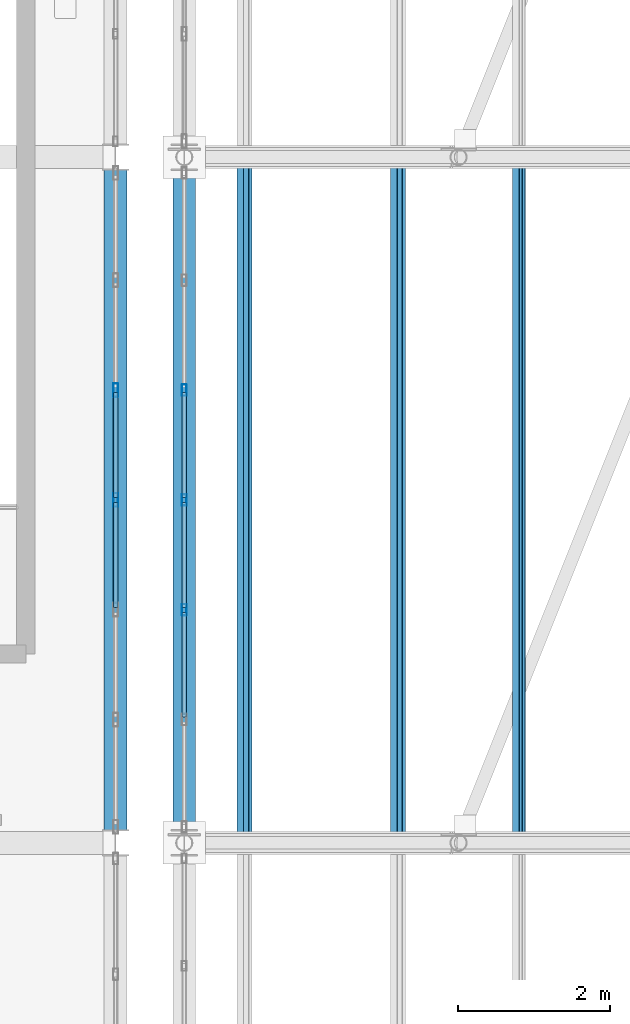
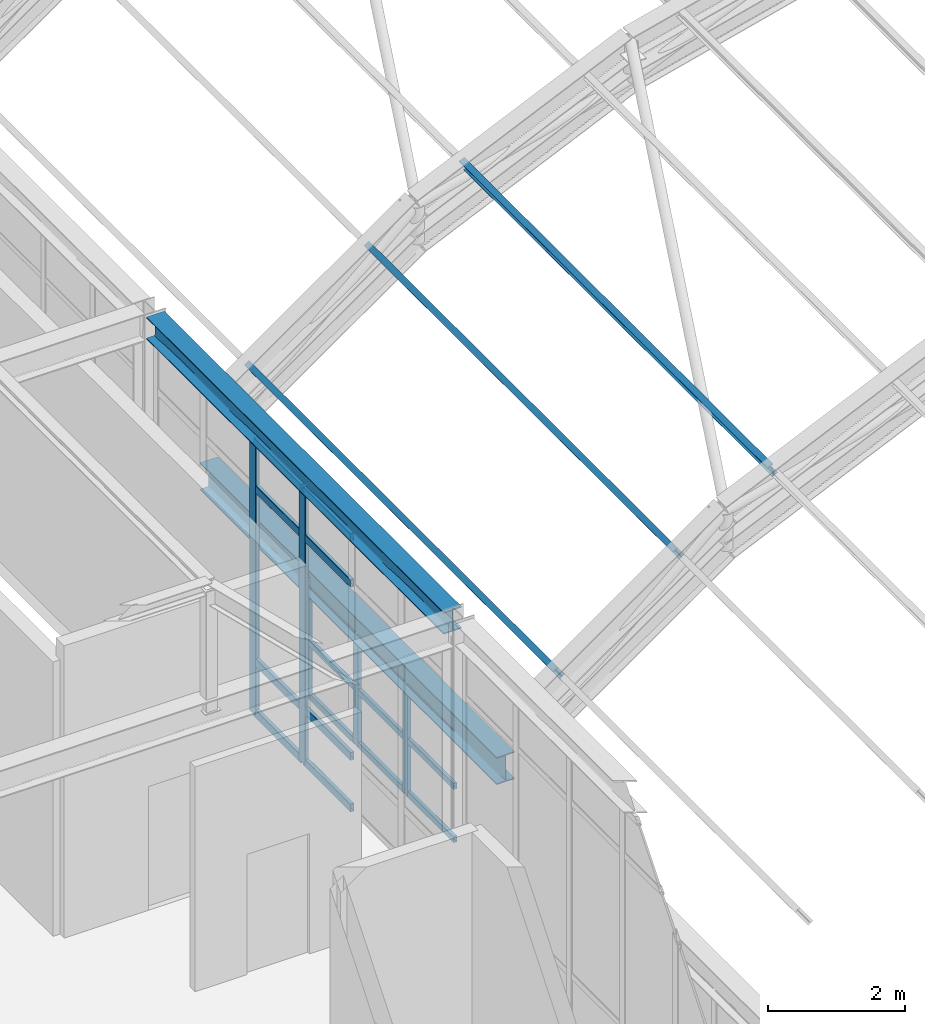
# One storey, part 53 of 121: 25 members, 2 beams, 2 elements without a shape of their own.
"""IFC4 building model written with IfcOpenShell, lengths in metres."""

from ifc_helpers import new_model, si_unit, direction, frame, origin, origin_2d, place, context, subcontext, project, spatial, hollow_rectangle, i_section, extrude, material, material_profile, profile_set, type_object, element, aggregate, save


model = new_model("IFC4")

# Units and contexts
model_context = context("Model", 3, precision=1e-05, world=origin(), true_north=direction((0.0, 1.0)))
body_context = subcontext(model_context, "Body", "Model", "MODEL_VIEW")
ifc_project = project(units=[si_unit("LENGTHUNIT", "METRE"), si_unit("AREAUNIT", "SQUARE_METRE"), si_unit("VOLUMEUNIT", "CUBIC_METRE"), si_unit("PLANEANGLEUNIT", "RADIAN"), si_unit("MASSUNIT", "GRAM", prefix="KILO")], contexts=[model_context])

# Site, building, storey
site_placement = place(None, origin())
site = spatial("IfcSite", under=ifc_project, at=site_placement, CompositionType="ELEMENT")
building_placement = place(site_placement, origin())
building = spatial("IfcBuilding", under=site, at=building_placement, Name="Canglan Escarpment Cableway Terminal", CompositionType="ELEMENT")
storey_placement = place(building_placement, frame((0.0, 0.0, 24.60009765625)))
storey = spatial("IfcBuildingStorey", under=building, at=storey_placement, Name="L05", CompositionType="ELEMENT", Elevation=24.60009765625)

# Beams
ifc_material_1 = material(Name="Steel Q355B", Category="steel")
ifc_material_profile_1 = material_profile(ifc_material_1, i_section(OverallWidth=0.300048828125, OverallDepth=0.389892578125, WebThickness=0.010009765625, FlangeThickness=0.01611328125, FilletRadius=0.02197265625, at=origin_2d()), Name="HM 390x300x10x16")
ifc_profile_set_1 = profile_set([ifc_material_profile_1], Name="Steel Q355B")
beam_type_1 = type_object("IfcBeamType", Name="BM-HM390", PredefinedType="BEAM", material=ifc_profile_set_1)
beam_1_placement = place(storey_placement, frame((136.699951171875, 97.1650390625, 5.139892578125), z_axis=(0.0, 1.0, 0.0), x_axis=(-1.0, 0.0, 0.0)))
element("IfcBeam", 1, at=beam_1_placement, inside=storey, type_object=beam_type_1, Name="Drive House roof transverse tie girder B-11", PredefinedType="BEAM", context=body_context, shape_type="SweptSolid", body=[
    extrude(i_section(OverallWidth=0.300048828125, OverallDepth=0.389892578125, WebThickness=0.010009765625, FlangeThickness=0.01611328125, FilletRadius=0.02197265625, at=origin_2d()), origin(), (0.0, 0.0, 1.0), 8.669921875),
])
ifc_material_profile_2 = material_profile(ifc_material_1, i_section(OverallWidth=0.300048828125, OverallDepth=0.488037109375, WebThickness=0.010986328125, FlangeThickness=0.01806640625, FilletRadius=0.02587890625, at=origin_2d()), Name="HM 488x300x11x18")
ifc_profile_set_2 = profile_set([ifc_material_profile_2], Name="Steel Q355B")
beam_type_2 = type_object("IfcBeamType", Name="BM-HM488", PredefinedType="BEAM", material=ifc_profile_set_2)
beam_2_placement = place(storey_placement, frame((137.60009765625, 97.175048828125, 2.1884765625), z_axis=(0.0, 1.0, 0.0), x_axis=(-1.0, 0.0, 0.0)))
element("IfcBeam", 2, at=beam_2_placement, inside=storey, type_object=beam_type_2, Name="Vault springing ring girder B-09", PredefinedType="BEAM", context=body_context, shape_type="SweptSolid", body=[
    extrude(i_section(OverallWidth=0.300048828125, OverallDepth=0.488037109375, WebThickness=0.010986328125, FlangeThickness=0.01806640625, FilletRadius=0.02587890625, at=origin_2d()), origin(), (0.0, 0.0, 1.0), 8.64990234375),
])

# Curtain wall, members
ifc_material_2 = material(Name="Anodized bronze aluminium and Low-E double glazing", Category="aluminium")
curtain_wall_type_1 = type_object("IfcCurtainWallType", Name="CW-BAY-8650x1950", PredefinedType="NOTDEFINED", material=ifc_material_2)
curtain_wall_1_placement = place(storey_placement, origin())
curtain_wall_1 = element("IfcCurtainWall", 3, at=curtain_wall_1_placement, inside=storey, type_object=curtain_wall_type_1, Name="Classical bay-between-piers glazed curtain wall CW-66", PredefinedType="NOTDEFINED")
ifc_material_3 = material(Name="Thermally broken anodized aluminium 6063-T6", Category="aluminium")
ifc_material_profile_3 = material_profile(ifc_material_3, hollow_rectangle(XDim=0.06494140625, YDim=0.14990234375, WallThickness=0.00341796875, InnerFilletRadius=0.00341796875, OuterFilletRadius=0.007080078125, at=origin_2d()), Name="ALU-MULL 65x150x3.5")
ifc_profile_set_3 = profile_set([ifc_material_profile_3], Name="Thermally broken anodized aluminium 6063-T6")
member_type_1 = type_object("IfcMemberType", Name="CWM-02", PredefinedType="MULLION", material=ifc_profile_set_3)
member_1_placement = place(storey_placement, frame((137.60009765625, 102.941650390625, 0.0), z_axis=(0.0, 0.0, 1.0), x_axis=(1.0, 0.0, 0.0)))
member_1 = element("IfcMember", 4, at=member_1_placement, type_object=member_type_1, Name="CW-66 mullion 3", PredefinedType="MULLION", context=body_context, shape_type="SweptSolid", body=[
    extrude(hollow_rectangle(XDim=0.06494140625, YDim=0.14990234375, WallThickness=0.00341796875, InnerFilletRadius=0.00341796875, OuterFilletRadius=0.007080078125, at=origin_2d()), origin(), (0.0, 0.0, 1.0), 1.949951171875),
])
member_2_placement = place(storey_placement, frame((137.60009765625, 101.5, 0.0), z_axis=(0.0, 0.0, 1.0), x_axis=(1.0, 0.0, 0.0)))
member_2 = element("IfcMember", 5, at=member_2_placement, type_object=member_type_1, Name="CW-66 mullion 4", PredefinedType="MULLION", context=body_context, shape_type="SweptSolid", body=[
    extrude(hollow_rectangle(XDim=0.06494140625, YDim=0.14990234375, WallThickness=0.00341796875, InnerFilletRadius=0.00341796875, OuterFilletRadius=0.007080078125, at=origin_2d()), origin(), (0.0, 0.0, 1.0), 1.949951171875),
])
member_3_placement = place(storey_placement, frame((137.60009765625, 100.058349609375, 0.0), z_axis=(0.0, 0.0, 1.0), x_axis=(1.0, 0.0, 0.0)))
member_3 = element("IfcMember", 6, at=member_3_placement, type_object=member_type_1, Name="CW-66 mullion 5", PredefinedType="MULLION", context=body_context, shape_type="SweptSolid", body=[
    extrude(hollow_rectangle(XDim=0.06494140625, YDim=0.14990234375, WallThickness=0.00341796875, InnerFilletRadius=0.00341796875, OuterFilletRadius=0.007080078125, at=origin_2d()), origin(), (0.0, 0.0, 1.0), 1.949951171875),
])

curtain_wall_type_2 = type_object("IfcCurtainWallType", Name="CW-BAY-8650x4875", PredefinedType="NOTDEFINED", material=ifc_material_2)
curtain_wall_2_placement = place(storey_placement, origin())
curtain_wall_2 = element("IfcCurtainWall", 7, at=curtain_wall_2_placement, inside=storey, type_object=curtain_wall_type_2, Name="Classical bay-between-piers glazed curtain wall CW-58", PredefinedType="NOTDEFINED")
ifc_material_profile_4 = material_profile(ifc_material_3, hollow_rectangle(XDim=0.06494140625, YDim=0.179931640625, WallThickness=0.00390625, InnerFilletRadius=0.00390625, OuterFilletRadius=0.008056640625, at=origin_2d()), Name="ALU-MULL 65x180x4")
ifc_profile_set_4 = profile_set([ifc_material_profile_4], Name="Thermally broken anodized aluminium 6063-T6")
member_type_2 = type_object("IfcMemberType", Name="CWM-03", PredefinedType="MULLION", material=ifc_profile_set_4)
member_4_placement = place(storey_placement, frame((136.699951171875, 101.5, 0.0), z_axis=(0.0, 0.0, 1.0), x_axis=(-1.0, 0.0, 0.0)))
member_4 = element("IfcMember", 8, at=member_4_placement, type_object=member_type_2, Name="CW-58 mullion 4", PredefinedType="MULLION", context=body_context, shape_type="SweptSolid", body=[
    extrude(hollow_rectangle(XDim=0.06494140625, YDim=0.179931640625, WallThickness=0.00390625, InnerFilletRadius=0.00390625, OuterFilletRadius=0.008056640625, at=origin_2d()), origin(), (0.0, 0.0, 1.0), 4.880859375),
])
member_5_placement = place(storey_placement, frame((136.699951171875, 102.941650390625, 0.0), z_axis=(0.0, 0.0, 1.0), x_axis=(-1.0, 0.0, 0.0)))
member_5 = element("IfcMember", 9, at=member_5_placement, type_object=member_type_2, Name="CW-58 mullion 5", PredefinedType="MULLION", context=body_context, shape_type="SweptSolid", body=[
    extrude(hollow_rectangle(XDim=0.06494140625, YDim=0.179931640625, WallThickness=0.00390625, InnerFilletRadius=0.00390625, OuterFilletRadius=0.008056640625, at=origin_2d()), origin(), (0.0, 0.0, 1.0), 4.880859375),
])

# Member
ifc_material_profile_5 = material_profile(ifc_material_3, hollow_rectangle(XDim=0.06005859375, YDim=0.110107421875, WallThickness=0.0029296875, InnerFilletRadius=0.0029296875, OuterFilletRadius=0.006103515625, at=origin_2d()), Name="ALU-TRAN 60x110x3")
ifc_profile_set_5 = profile_set([ifc_material_profile_5], Name="Thermally broken anodized aluminium 6063-T6")
member_type_3 = type_object("IfcMemberType", Name="CWT-02", PredefinedType="USERDEFINED", material=ifc_profile_set_5)
member_6_placement = place(storey_placement, frame((137.60009765625, 102.9091796875, 0.02978515625), z_axis=(0.0, -1.0, 0.0), x_axis=(1.0, 0.0, 0.0)))
member_6 = element("IfcMember", 10, at=member_6_placement, type_object=member_type_3, Name="CW-66 transom 3.1", ObjectType="TRANSOM", PredefinedType="USERDEFINED", context=body_context, shape_type="SweptSolid", body=[
    extrude(hollow_rectangle(XDim=0.06005859375, YDim=0.110107421875, WallThickness=0.0029296875, InnerFilletRadius=0.0029296875, OuterFilletRadius=0.006103515625, at=origin_2d()), origin(), (0.0, 0.0, 1.0), 1.376708984375),
])

member_7_placement = place(storey_placement, frame((137.60009765625, 102.9091796875, 0.974853515625), z_axis=(0.0, -1.0, 0.0), x_axis=(1.0, 0.0, 0.0)))
member_7 = element("IfcMember", 11, at=member_7_placement, type_object=member_type_3, Name="CW-66 transom 3.2", ObjectType="TRANSOM", PredefinedType="USERDEFINED", context=body_context, shape_type="SweptSolid", body=[
    extrude(hollow_rectangle(XDim=0.06005859375, YDim=0.110107421875, WallThickness=0.0029296875, InnerFilletRadius=0.0029296875, OuterFilletRadius=0.006103515625, at=origin_2d()), origin(), (0.0, 0.0, 1.0), 1.376708984375),
])

member_8_placement = place(storey_placement, frame((137.60009765625, 102.9091796875, 1.919921875), z_axis=(0.0, -1.0, 0.0), x_axis=(1.0, 0.0, 0.0)))
member_8 = element("IfcMember", 12, at=member_8_placement, type_object=member_type_3, Name="CW-66 transom 3.3", ObjectType="TRANSOM", PredefinedType="USERDEFINED", context=body_context, shape_type="SweptSolid", body=[
    extrude(hollow_rectangle(XDim=0.06005859375, YDim=0.110107421875, WallThickness=0.0029296875, InnerFilletRadius=0.0029296875, OuterFilletRadius=0.006103515625, at=origin_2d()), origin(), (0.0, 0.0, 1.0), 1.376708984375),
])

member_9_placement = place(storey_placement, frame((137.60009765625, 101.467529296875, 0.02978515625), z_axis=(0.0, -1.0, 0.0), x_axis=(1.0, 0.0, 0.0)))
member_9 = element("IfcMember", 13, at=member_9_placement, type_object=member_type_3, Name="CW-66 transom 4.1", ObjectType="TRANSOM", PredefinedType="USERDEFINED", context=body_context, shape_type="SweptSolid", body=[
    extrude(hollow_rectangle(XDim=0.06005859375, YDim=0.110107421875, WallThickness=0.0029296875, InnerFilletRadius=0.0029296875, OuterFilletRadius=0.006103515625, at=origin_2d()), origin(), (0.0, 0.0, 1.0), 1.376708984375),
])

member_10_placement = place(storey_placement, frame((137.60009765625, 101.467529296875, 0.974853515625), z_axis=(0.0, -1.0, 0.0), x_axis=(1.0, 0.0, 0.0)))
member_10 = element("IfcMember", 14, at=member_10_placement, type_object=member_type_3, Name="CW-66 transom 4.2", ObjectType="TRANSOM", PredefinedType="USERDEFINED", context=body_context, shape_type="SweptSolid", body=[
    extrude(hollow_rectangle(XDim=0.06005859375, YDim=0.110107421875, WallThickness=0.0029296875, InnerFilletRadius=0.0029296875, OuterFilletRadius=0.006103515625, at=origin_2d()), origin(), (0.0, 0.0, 1.0), 1.376708984375),
])

member_11_placement = place(storey_placement, frame((137.60009765625, 101.467529296875, 1.919921875), z_axis=(0.0, -1.0, 0.0), x_axis=(1.0, 0.0, 0.0)))
member_11 = element("IfcMember", 15, at=member_11_placement, type_object=member_type_3, Name="CW-66 transom 4.3", ObjectType="TRANSOM", PredefinedType="USERDEFINED", context=body_context, shape_type="SweptSolid", body=[
    extrude(hollow_rectangle(XDim=0.06005859375, YDim=0.110107421875, WallThickness=0.0029296875, InnerFilletRadius=0.0029296875, OuterFilletRadius=0.006103515625, at=origin_2d()), origin(), (0.0, 0.0, 1.0), 1.376708984375),
])

member_12_placement = place(storey_placement, frame((137.60009765625, 100.02587890625, 0.02978515625), z_axis=(0.0, -1.0, 0.0), x_axis=(1.0, 0.0, 0.0)))
member_12 = element("IfcMember", 16, at=member_12_placement, type_object=member_type_3, Name="CW-66 transom 5.1", ObjectType="TRANSOM", PredefinedType="USERDEFINED", context=body_context, shape_type="SweptSolid", body=[
    extrude(hollow_rectangle(XDim=0.06005859375, YDim=0.110107421875, WallThickness=0.0029296875, InnerFilletRadius=0.0029296875, OuterFilletRadius=0.006103515625, at=origin_2d()), origin(), (0.0, 0.0, 1.0), 1.376708984375),
])

member_13_placement = place(storey_placement, frame((137.60009765625, 100.02587890625, 0.974853515625), z_axis=(0.0, -1.0, 0.0), x_axis=(1.0, 0.0, 0.0)))
member_13 = element("IfcMember", 17, at=member_13_placement, type_object=member_type_3, Name="CW-66 transom 5.2", ObjectType="TRANSOM", PredefinedType="USERDEFINED", context=body_context, shape_type="SweptSolid", body=[
    extrude(hollow_rectangle(XDim=0.06005859375, YDim=0.110107421875, WallThickness=0.0029296875, InnerFilletRadius=0.0029296875, OuterFilletRadius=0.006103515625, at=origin_2d()), origin(), (0.0, 0.0, 1.0), 1.376708984375),
])

member_14_placement = place(storey_placement, frame((137.60009765625, 100.02587890625, 1.919921875), z_axis=(0.0, -1.0, 0.0), x_axis=(1.0, 0.0, 0.0)))
member_14 = element("IfcMember", 18, at=member_14_placement, type_object=member_type_3, Name="CW-66 transom 5.3", ObjectType="TRANSOM", PredefinedType="USERDEFINED", context=body_context, shape_type="SweptSolid", body=[
    extrude(hollow_rectangle(XDim=0.06005859375, YDim=0.110107421875, WallThickness=0.0029296875, InnerFilletRadius=0.0029296875, OuterFilletRadius=0.006103515625, at=origin_2d()), origin(), (0.0, 0.0, 1.0), 1.376708984375),
])

aggregate(curtain_wall_1, [member_1, member_2, member_3, member_6, member_7, member_8, member_9, member_10, member_11, member_12, member_13, member_14])

ifc_material_profile_6 = material_profile(ifc_material_3, hollow_rectangle(XDim=0.06494140625, YDim=0.139892578125, WallThickness=0.00341796875, InnerFilletRadius=0.00341796875, OuterFilletRadius=0.007080078125, at=origin_2d()), Name="ALU-TRAN 65x140x3.5")
ifc_profile_set_6 = profile_set([ifc_material_profile_6], Name="Thermally broken anodized aluminium 6063-T6")
member_type_4 = type_object("IfcMemberType", Name="CWT-03", PredefinedType="USERDEFINED", material=ifc_profile_set_6)
member_15_placement = place(storey_placement, frame((136.699951171875, 100.0908203125, 0.032470703125), z_axis=(0.0, 1.0, 0.0), x_axis=(-1.0, 0.0, 0.0)))
member_15 = element("IfcMember", 19, at=member_15_placement, type_object=member_type_4, Name="CW-58 transom 3.1", ObjectType="TRANSOM", PredefinedType="USERDEFINED", context=body_context, shape_type="SweptSolid", body=[
    extrude(hollow_rectangle(XDim=0.06494140625, YDim=0.139892578125, WallThickness=0.00341796875, InnerFilletRadius=0.00341796875, OuterFilletRadius=0.007080078125, at=origin_2d()), origin(), (0.0, 0.0, 1.0), 1.376708984375),
])

member_16_placement = place(storey_placement, frame((136.699951171875, 100.0908203125, 0.949951171875), z_axis=(0.0, 1.0, 0.0), x_axis=(-1.0, 0.0, 0.0)))
member_16 = element("IfcMember", 20, at=member_16_placement, type_object=member_type_4, Name="CW-58 transom 3.2", ObjectType="TRANSOM", PredefinedType="USERDEFINED", context=body_context, shape_type="SweptSolid", body=[
    extrude(hollow_rectangle(XDim=0.06494140625, YDim=0.139892578125, WallThickness=0.00341796875, InnerFilletRadius=0.00341796875, OuterFilletRadius=0.007080078125, at=origin_2d()), origin(), (0.0, 0.0, 1.0), 1.376708984375),
])

member_17_placement = place(storey_placement, frame((136.699951171875, 100.0908203125, 4.031005859375), z_axis=(0.0, 1.0, 0.0), x_axis=(-1.0, 0.0, 0.0)))
member_17 = element("IfcMember", 21, at=member_17_placement, type_object=member_type_4, Name="CW-58 transom 3.3", ObjectType="TRANSOM", PredefinedType="USERDEFINED", context=body_context, shape_type="SweptSolid", body=[
    extrude(hollow_rectangle(XDim=0.06494140625, YDim=0.139892578125, WallThickness=0.00341796875, InnerFilletRadius=0.00341796875, OuterFilletRadius=0.007080078125, at=origin_2d()), origin(), (0.0, 0.0, 1.0), 1.376708984375),
])

member_18_placement = place(storey_placement, frame((136.699951171875, 100.0908203125, 4.848388671875), z_axis=(0.0, 1.0, 0.0), x_axis=(-1.0, 0.0, 0.0)))
member_18 = element("IfcMember", 22, at=member_18_placement, type_object=member_type_4, Name="CW-58 transom 3.4", ObjectType="TRANSOM", PredefinedType="USERDEFINED", context=body_context, shape_type="SweptSolid", body=[
    extrude(hollow_rectangle(XDim=0.06494140625, YDim=0.139892578125, WallThickness=0.00341796875, InnerFilletRadius=0.00341796875, OuterFilletRadius=0.007080078125, at=origin_2d()), origin(), (0.0, 0.0, 1.0), 1.376708984375),
])

member_19_placement = place(storey_placement, frame((136.699951171875, 101.532470703125, 0.032470703125), z_axis=(0.0, 1.0, 0.0), x_axis=(-1.0, 0.0, 0.0)))
member_19 = element("IfcMember", 23, at=member_19_placement, type_object=member_type_4, Name="CW-58 transom 4.1", ObjectType="TRANSOM", PredefinedType="USERDEFINED", context=body_context, shape_type="SweptSolid", body=[
    extrude(hollow_rectangle(XDim=0.06494140625, YDim=0.139892578125, WallThickness=0.00341796875, InnerFilletRadius=0.00341796875, OuterFilletRadius=0.007080078125, at=origin_2d()), origin(), (0.0, 0.0, 1.0), 1.376708984375),
])

member_20_placement = place(storey_placement, frame((136.699951171875, 101.532470703125, 0.949951171875), z_axis=(0.0, 1.0, 0.0), x_axis=(-1.0, 0.0, 0.0)))
member_20 = element("IfcMember", 24, at=member_20_placement, type_object=member_type_4, Name="CW-58 transom 4.2", ObjectType="TRANSOM", PredefinedType="USERDEFINED", context=body_context, shape_type="SweptSolid", body=[
    extrude(hollow_rectangle(XDim=0.06494140625, YDim=0.139892578125, WallThickness=0.00341796875, InnerFilletRadius=0.00341796875, OuterFilletRadius=0.007080078125, at=origin_2d()), origin(), (0.0, 0.0, 1.0), 1.376708984375),
])

member_21_placement = place(storey_placement, frame((136.699951171875, 101.532470703125, 4.031005859375), z_axis=(0.0, 1.0, 0.0), x_axis=(-1.0, 0.0, 0.0)))
member_21 = element("IfcMember", 25, at=member_21_placement, type_object=member_type_4, Name="CW-58 transom 4.3", ObjectType="TRANSOM", PredefinedType="USERDEFINED", context=body_context, shape_type="SweptSolid", body=[
    extrude(hollow_rectangle(XDim=0.06494140625, YDim=0.139892578125, WallThickness=0.00341796875, InnerFilletRadius=0.00341796875, OuterFilletRadius=0.007080078125, at=origin_2d()), origin(), (0.0, 0.0, 1.0), 1.376708984375),
])

member_22_placement = place(storey_placement, frame((136.699951171875, 101.532470703125, 4.848388671875), z_axis=(0.0, 1.0, 0.0), x_axis=(-1.0, 0.0, 0.0)))
member_22 = element("IfcMember", 26, at=member_22_placement, type_object=member_type_4, Name="CW-58 transom 4.4", ObjectType="TRANSOM", PredefinedType="USERDEFINED", context=body_context, shape_type="SweptSolid", body=[
    extrude(hollow_rectangle(XDim=0.06494140625, YDim=0.139892578125, WallThickness=0.00341796875, InnerFilletRadius=0.00341796875, OuterFilletRadius=0.007080078125, at=origin_2d()), origin(), (0.0, 0.0, 1.0), 1.376708984375),
])

aggregate(curtain_wall_2, [member_4, member_5, member_15, member_16, member_17, member_18, member_19, member_20, member_21, member_22])

# Members
ifc_material_profile_7 = material_profile(ifc_material_1, i_section(OverallWidth=0.10009765625, OverallDepth=0.199951171875, WebThickness=0.005615234375, FlangeThickness=0.008056640625, FilletRadius=0.010986328125, at=origin_2d()), Name="HN 200x100x5.5x8")
ifc_profile_set_7 = profile_set([ifc_material_profile_7], Name="Steel Q355B")
member_type_5 = type_object("IfcMemberType", Name="MB-VAULT-PUR-HN200", PredefinedType="PURLIN", material=ifc_profile_set_7)
for number, where, z_axis, x_axis, name in (
    (27, (138.39208984375, 97.0, 3.712890625), (0.0, 1.0, 0.0), (-0.817727996784, 0.0, -0.575604832568), "Barrel-vault roof purlin PR-01"),
    (28, (140.407958984375, 97.0, 5.1318359375), (0.0, 1.0, 0.0), (-0.817727996784, 0.0, -0.575604832568), "Barrel-vault roof purlin PR-01"),
    (29, (141.991943359375, 97.0, 6.059814453125), (0.0, 1.0, 0.0), (-0.911740537138, 0.0, -0.410766591799), "Barrel-vault roof purlin PR-01"),
):
    element("IfcMember", number, at=place(storey_placement, frame(where, z_axis=z_axis, x_axis=x_axis)), inside=storey, type_object=member_type_5, Name=name, PredefinedType="PURLIN", context=body_context, shape_type="SweptSolid", body=[
        extrude(i_section(OverallWidth=0.10009765625, OverallDepth=0.199951171875, WebThickness=0.005615234375, FlangeThickness=0.008056640625, FilletRadius=0.010986328125, at=origin_2d()), origin(), (0.0, 0.0, 1.0), 9.0),
    ])

save(model, "model.ifc")
